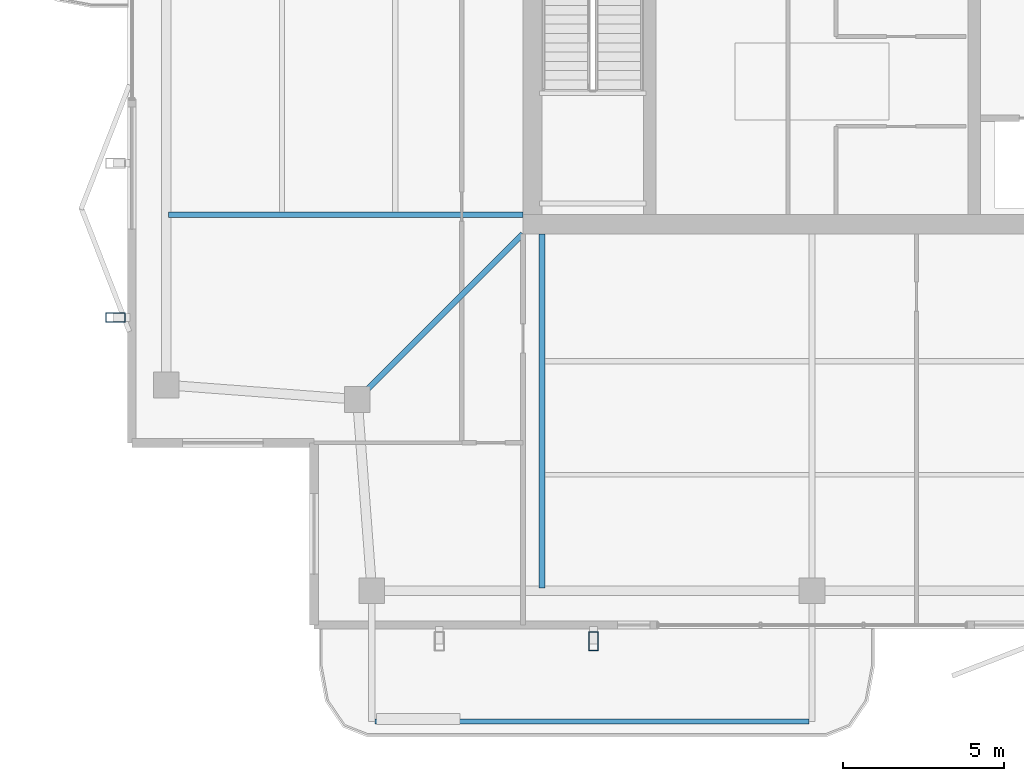
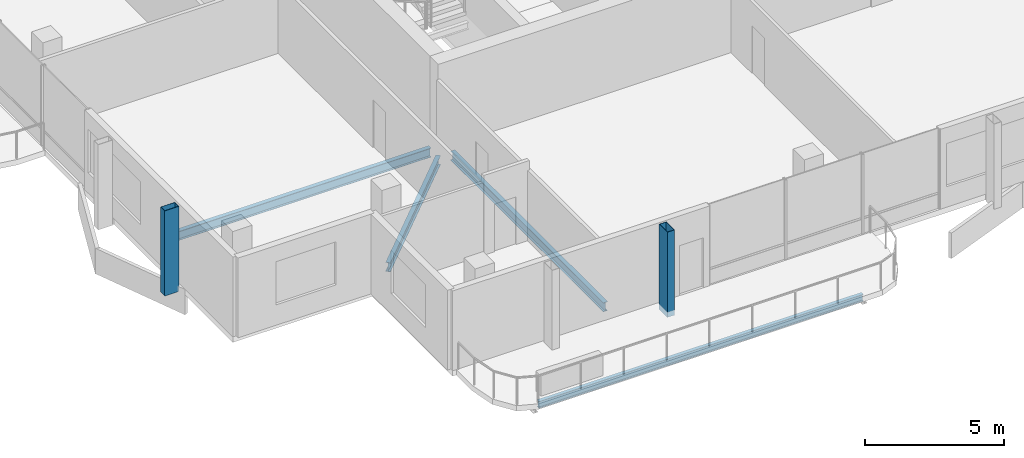
# One storey, part 2 of 22: 4 beams, 2 members.
"""IFC4 building model written with IfcOpenShell, lengths in metres."""

from ifc_helpers import new_model, si_unit, direction, frame, origin, origin_2d, place, context, subcontext, project, spatial, hollow_rectangle, i_section, extrude, material, material_profile, profile_set, type_object, element, save


model = new_model("IFC4")

# Units and contexts
model_context = context("Model", 3, precision=1e-05, world=origin(), true_north=direction((0.0, 1.0)))
body_context = subcontext(model_context, "Body", "Model", "MODEL_VIEW")
ifc_project = project(units=[si_unit("LENGTHUNIT", "METRE"), si_unit("AREAUNIT", "SQUARE_METRE"), si_unit("VOLUMEUNIT", "CUBIC_METRE"), si_unit("PLANEANGLEUNIT", "RADIAN"), si_unit("MASSUNIT", "GRAM", prefix="KILO")], contexts=[model_context])

# Site, building, storey
site_placement = place(None, origin())
site = spatial("IfcSite", under=ifc_project, at=site_placement, CompositionType="ELEMENT")
building_placement = place(site_placement, origin())
building = spatial("IfcBuilding", under=site, at=building_placement, Name="Belovzor Exchange Tower", CompositionType="ELEMENT")
storey_placement = place(building_placement, frame((0.0, 0.0, 348.0)))
storey = spatial("IfcBuildingStorey", under=building, at=storey_placement, Name="L87", CompositionType="ELEMENT", Elevation=348.0)

# Beam
ifc_material_1 = material(Name="Steel S355", Category="steel")
ifc_material_profile_1 = material_profile(ifc_material_1, i_section(OverallWidth=0.14990234375, OverallDepth=0.300048828125, WebThickness=0.007080078125, FlangeThickness=0.0107421875, at=origin_2d()))
ifc_profile_set_1 = profile_set([ifc_material_profile_1], Name="Steel S355")
beam_type_1 = type_object("IfcBeamType", Name="Planted Balcony Fascia Edge Beam IPE 300", PredefinedType="BEAM", material=ifc_profile_set_1)
beam_1_placement = place(storey_placement, frame((15.199951171875, 4.6298828125, -0.389892578125), z_axis=(1.0, 0.0, 0.0), x_axis=(0.0, 1.0, 0.0)))
element("IfcBeam", 1, at=beam_1_placement, inside=storey, type_object=beam_type_1, Name="BC-300 Planted Balcony Fascia Edge Beam IPE 300", PredefinedType="BEAM", context=body_context, shape_type="SweptSolid", body=[
    extrude(i_section(OverallWidth=0.14990234375, OverallDepth=0.300048828125, WebThickness=0.007080078125, FlangeThickness=0.0107421875, at=origin_2d()), origin(), (0.0, 0.0, 1.0), 13.5),
])

# Members
ifc_material_2 = material(Name="Extruded Architectural Terracotta on Steel S355 Carrier", Category="masonry")
ifc_material_profile_2 = material_profile(ifc_material_2, hollow_rectangle(XDim=0.300048828125, YDim=0.60009765625, WallThickness=0.01611328125, at=origin_2d()))
ifc_profile_set_2 = profile_set([ifc_material_profile_2], Name="Extruded Architectural Terracotta on Steel S355 Carrier")
member_type = type_object("IfcMemberType", Name="Upper Crown Terracotta Fin Assembly 550", PredefinedType="USERDEFINED", material=ifc_profile_set_2)
for number, where, z_axis, x_axis, name in (
    (2, (7.125, 17.199951171875, -0.239990234375), (0.0, 0.0, 1.0), (0.0, 1.0, 0.0), "FIN-TC055 Terracotta Facade Fin L87 W1"),
    (3, (22.0, 7.125, -0.239990234375), (0.0, 0.0, 1.0), (1.0, 0.0, 0.0), "FIN-TC055 Terracotta Facade Fin L87 S2"),
):
    element("IfcMember", number, at=place(storey_placement, frame(where, z_axis=z_axis, x_axis=x_axis)), inside=storey, type_object=member_type, Name=name, ObjectType="FIN", PredefinedType="USERDEFINED", context=body_context, shape_type="SweptSolid", body=[
        extrude(hollow_rectangle(XDim=0.300048828125, YDim=0.60009765625, WallThickness=0.01611328125, at=origin_2d()), origin(), (0.0, 0.0, 1.0), 3.75),
    ])

# Beams
ifc_material_3 = material(Name="Steel S355", Category="steel")
ifc_material_profile_3 = material_profile(ifc_material_3, i_section(OverallWidth=0.179931640625, OverallDepth=0.39990234375, WebThickness=0.008544921875, FlangeThickness=0.013427734375, at=origin_2d()))
ifc_profile_set_3 = profile_set([ifc_material_profile_3], Name="Steel S355")
beam_type_2 = type_object("IfcBeamType", Name="Zone 5-6 Radial Composite Floor Beam IPE 400", PredefinedType="BEAM", material=ifc_profile_set_3)
for number, where, z_axis, x_axis, name in (
    (4, (20.39990234375, 19.800048828125, -0.43994140625), (0.0, -1.0, 0.0), (1.0, 0.0, 0.0), "FB-400 Zone 5-6 Radial Composite Floor Beam IPE 400"),
    (5, (19.800048828125, 20.39990234375, -0.43994140625), (-1.0, 0.0, 0.0), (0.0, -1.0, 0.0), "FB-400 Zone 5-6 Radial Composite Floor Beam IPE 400"),
):
    element("IfcBeam", number, at=place(storey_placement, frame(where, z_axis=z_axis, x_axis=x_axis)), inside=storey, type_object=beam_type_2, Name=name, PredefinedType="BEAM", context=body_context, shape_type="SweptSolid", body=[
        extrude(i_section(OverallWidth=0.179931640625, OverallDepth=0.39990234375, WebThickness=0.008544921875, FlangeThickness=0.013427734375, at=origin_2d()), origin(), (0.0, 0.0, 1.0), 11.025146484375),
    ])
beam_2_placement = place(storey_placement, frame((19.800048828125, 19.800048828125, -0.43994140625), z_axis=(-0.707106781187, -0.707106781187, 0.0), x_axis=(0.707106781187, -0.707106781187, 0.0)))
element("IfcBeam", 6, at=beam_2_placement, inside=storey, type_object=beam_type_2, Name="FB-400 Zone 5-6 Radial Composite Floor Beam IPE 400", PredefinedType="BEAM", context=body_context, shape_type="SweptSolid", body=[
    extrude(i_section(OverallWidth=0.179931640625, OverallDepth=0.39990234375, WebThickness=0.008544921875, FlangeThickness=0.013427734375, at=origin_2d()), origin(), (0.0, 0.0, 1.0), 7.000244140625),
])

save(model, "model.ifc")
